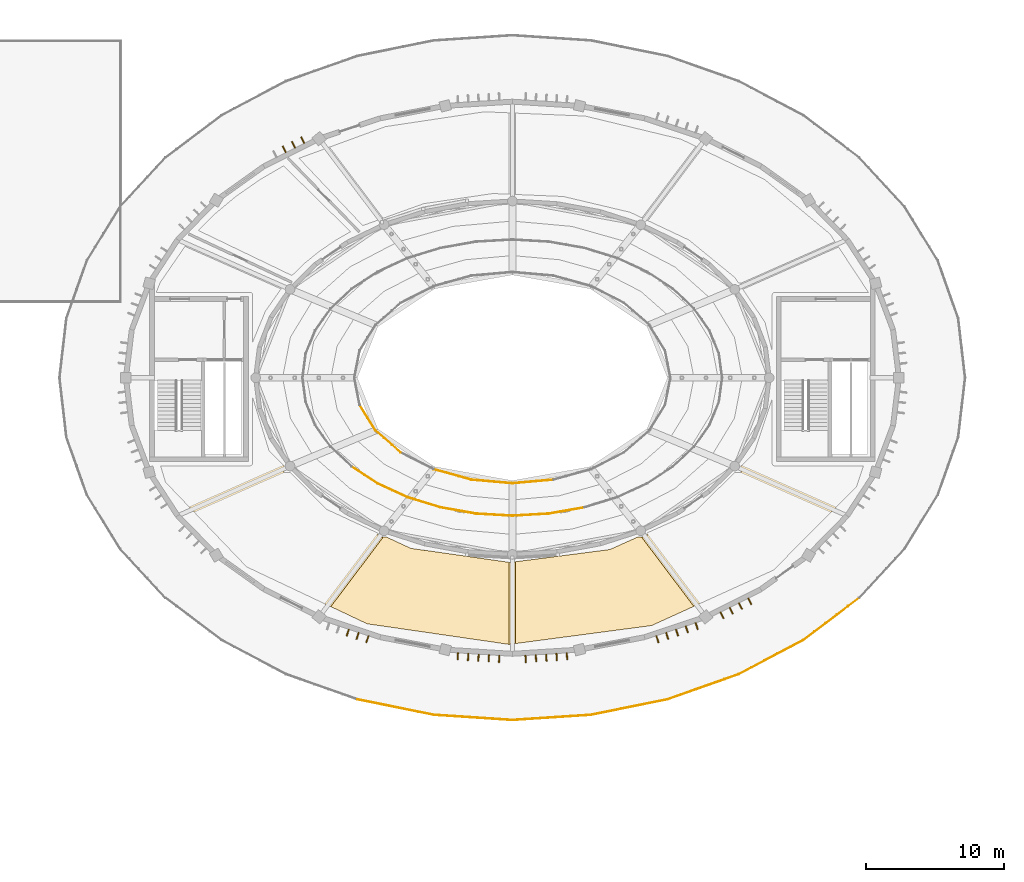
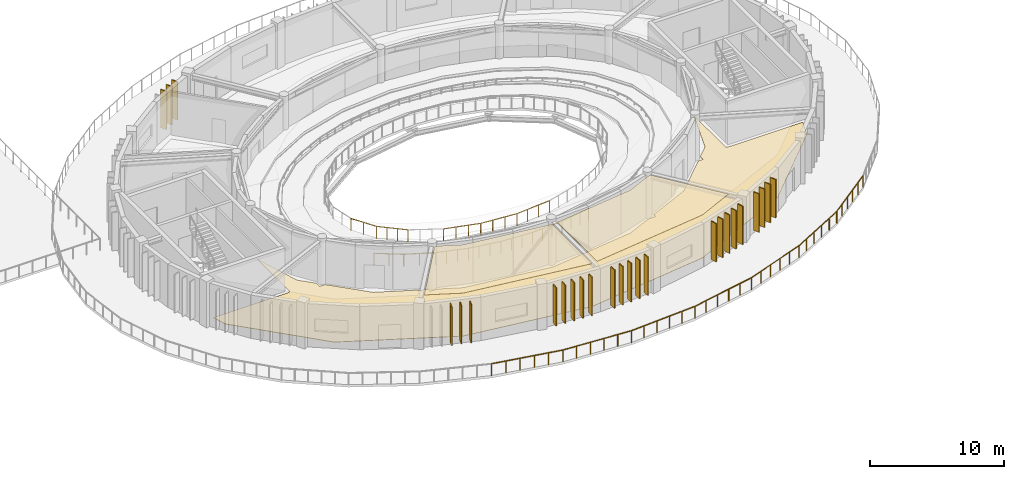
# One storey, part 56 of 63: 25 shading devices, 19 railings, 3 coverings.
"""IFC4 building model written with IfcOpenShell, lengths in metres."""

import ifcopenshell
import ifcopenshell.guid

model = None  # the IFC model being written
_history = None  # IfcOwnerHistory: only IFC2X3 demands one
_inside = {}  # id of a spatial element -> (the spatial element, [elements in it])
_under = {}  # id of a project, library or spatial element -> (it, [spatial elements below it])
_declared = {}  # id of a project -> (the project, [libraries it declares])
_typed = {}  # id of a type object -> (the type object, [elements of that type])
_made_of = {}  # id of a material, layer set ... -> (it, [elements and type objects made of it])


def new_model(schema):
    """Start an empty IFC model of exactly this schema.

    Asked for "IFC4X3", IfcOpenShell would pick the latest addendum, in which some entities
    have other attributes; the version numbers below select the first issue.
    IFC2X3 requires an IfcOwnerHistory on every rooted entity: one is made here for all.
    """
    global model, _history
    if schema == "IFC4X3":
        model = ifcopenshell.file(schema_version=(4, 3, 0, 0))
    else:
        model = ifcopenshell.file(schema=schema)
    _inside.clear()
    _under.clear()
    _declared.clear()
    _typed.clear()
    _made_of.clear()
    _history = None
    if model.schema == "IFC2X3":
        org = make("IfcOrganization", Name="unknown")
        user = make(
            "IfcPersonAndOrganization",
            ThePerson=make("IfcPerson", FamilyName="unknown"),
            TheOrganization=org,
        )
        app = make(
            "IfcApplication",
            ApplicationDeveloper=org,
            Version="unknown",
            ApplicationFullName="unknown",
            ApplicationIdentifier="unknown",
        )
        _history = make(
            "IfcOwnerHistory",
            OwningUser=user,
            OwningApplication=app,
            ChangeAction="ADDED",
            CreationDate=0,
        )
    return model


def make(cls, **values):
    """One entity of the class cls with the attributes given. An attribute that is None is left unset."""
    return model.create_entity(
        cls, **{name: value for name, value in values.items() if value is not None}
    )


def rooted(cls, **values):
    """An entity with a GlobalId (a new one), such as an element, a storey or a relation."""
    return make(cls, GlobalId=ifcopenshell.guid.new(), OwnerHistory=_history, **values)


def si_unit(unit_type, name, prefix=None):
    """IfcSIUnit, for example si_unit("LENGTHUNIT", "METRE", prefix="MILLI")."""
    return make("IfcSIUnit", UnitType=unit_type, Prefix=prefix, Name=name)


def assignment(units):
    """IfcUnitAssignment: the units of a project."""
    return None if units is None else make("IfcUnitAssignment", Units=units)


def point(xyz):
    """IfcCartesianPoint."""
    return None if xyz is None else make("IfcCartesianPoint", Coordinates=xyz)


def direction(xyz):
    """IfcDirection."""
    return None if xyz is None else make("IfcDirection", DirectionRatios=xyz)


def frame(location, z_axis=None, x_axis=None):
    """IfcAxis2Placement3D, a coordinate frame: its origin and axes. An axis left out is left unset."""
    return make(
        "IfcAxis2Placement3D",
        Location=point(location),
        Axis=direction(z_axis),
        RefDirection=direction(x_axis),
    )


def frame_2d(location, x_axis=None):
    """IfcAxis2Placement2D, a coordinate frame in the plane: its origin and x axis."""
    return make(
        "IfcAxis2Placement2D", Location=point(location), RefDirection=direction(x_axis)
    )


def origin():
    """The frame at (0, 0, 0) with its axes left unset."""
    return frame((0.0, 0.0, 0.0))


def origin_2d():
    """The frame at (0, 0) in the plane with its x axis left unset."""
    return frame_2d((0.0, 0.0))


def place(relative_to, where):
    """IfcLocalPlacement: puts the frame where relative to a parent placement (None: the world)."""
    return make(
        "IfcLocalPlacement", PlacementRelTo=relative_to, RelativePlacement=where
    )


def context(
    kind, dimensions, precision=None, world=None, true_north=None, identifier=None
):
    """IfcGeometricRepresentationContext, for example the 3D "Model" context."""
    return make(
        "IfcGeometricRepresentationContext",
        ContextIdentifier=identifier,
        ContextType=kind,
        CoordinateSpaceDimension=dimensions,
        Precision=precision,
        WorldCoordinateSystem=world,
        TrueNorth=true_north,
    )


def subcontext(parent, identifier, kind, view, scale=None):
    """IfcGeometricRepresentationSubContext, for example "Body" below "Model"."""
    return make(
        "IfcGeometricRepresentationSubContext",
        ContextIdentifier=identifier,
        ContextType=kind,
        ParentContext=parent,
        TargetScale=scale,
        TargetView=view,
    )


def project(units=None, contexts=None):
    """IfcProject with its units and contexts."""
    return rooted(
        "IfcProject",
        Name="project",
        RepresentationContexts=contexts,
        UnitsInContext=assignment(units),
    )


def spatial(cls, under=None, at=None, **own):
    """A site, building, storey or space (cls), placed at a placement, below another one or the project."""
    s = rooted(cls, ObjectPlacement=at, **own)
    if under is not None:
        _under.setdefault(under.id(), (under, []))[1].append(s)
    return s


def polyline(points):
    """IfcPolyline through the points."""
    return make("IfcPolyline", Points=[point(p) for p in points])


def profile(cls, at=None, kind="AREA", **sizes):
    """A parametric profile (cls). Its sizes go by their IFC names, for example OverallWidth=200.0."""
    return make(cls, ProfileType=kind, Position=at, **sizes)


def rectangle(**sizes):
    """IfcRectangleProfileDef."""
    return profile("IfcRectangleProfileDef", **sizes)


def circle(**sizes):
    """IfcCircleProfileDef."""
    return profile("IfcCircleProfileDef", **sizes)


def outline(outer, holes=None, kind="AREA"):
    """IfcArbitraryClosedProfileDef: a profile drawn as a closed curve; with holes, ...WithVoids."""
    if holes is None:
        return make("IfcArbitraryClosedProfileDef", ProfileType=kind, OuterCurve=outer)
    return make(
        "IfcArbitraryProfileDefWithVoids",
        ProfileType=kind,
        OuterCurve=outer,
        InnerCurves=holes,
    )


def extrude(swept, where, along, depth):
    """IfcExtrudedAreaSolid: the profile swept, set in the frame where, extruded along a direction by depth."""
    return make(
        "IfcExtrudedAreaSolid",
        SweptArea=swept,
        Position=where,
        ExtrudedDirection=direction(along),
        Depth=depth,
    )


def shape(context_of_items, identifier, shape_type, items):
    """IfcShapeRepresentation: the items that make up one representation, for example the "Body"."""
    return make(
        "IfcShapeRepresentation",
        ContextOfItems=context_of_items,
        RepresentationIdentifier=identifier,
        RepresentationType=shape_type,
        Items=items,
    )


def material(Name=None, Category=None):
    """IfcMaterial."""
    return make("IfcMaterial", Name=Name, Category=Category)


def layer(
    of_material, thickness, ventilated=None, Name=None, Category=None, Priority=None
):
    """IfcMaterialLayer: one layer of a wall or slab, of a material (None: an air gap)."""
    return make(
        "IfcMaterialLayer",
        Material=of_material,
        LayerThickness=thickness,
        IsVentilated=ventilated,
        Name=Name,
        Category=Category,
        Priority=Priority,
    )


def layer_set(layers, Name=None):
    """IfcMaterialLayerSet."""
    return make("IfcMaterialLayerSet", MaterialLayers=layers, LayerSetName=Name)


def made_of(thing, what):
    """Note that an element or type object is made of a material, layer set ...; save() writes the relation."""
    if what is not None:
        _made_of.setdefault(what.id(), (what, []))[1].append(thing)
    return thing


def type_object(cls, material=None, **own):
    """A type object (cls), such as IfcWallType, which elements share."""
    return made_of(rooted(cls, **own), material)


def element(
    cls,
    number,
    at=None,
    inside=None,
    cuts=None,
    type_object=None,
    material=None,
    context=None,
    identifier="Body",
    shape_type=None,
    held_by="IfcProductDefinitionShape",
    body=None,
    shapes=None,
    **own,
):
    """One element of the class cls, such as IfcWall. Its Tag is "e" and its number.

    at: its placement. inside: the storey or other place that contains it. cuts: it is an
    opening in that element (IfcRelVoidsElement). A single representation is given by context,
    identifier, shape_type and body (its items); several are given by shapes. held_by: the class
    of the entity that holds the representations. save() writes the other relations.
    """
    e = rooted(cls, Tag="e%d" % number, ObjectPlacement=at, **own)
    if body is not None:
        shapes = [shape(context, identifier, shape_type, body)]
    if shapes is not None:
        e.Representation = make(held_by, Representations=shapes)
    if inside is not None:
        _inside.setdefault(inside.id(), (inside, []))[1].append(e)
    if cuts is not None:
        rooted(
            "IfcRelVoidsElement", RelatingBuildingElement=cuts, RelatedOpeningElement=e
        )
    if type_object is not None:
        _typed.setdefault(type_object.id(), (type_object, []))[1].append(e)
    return made_of(e, material)


def aggregate(whole, parts):
    """IfcRelAggregates: a whole, such as a stair, and the parts it consists of."""
    return rooted("IfcRelAggregates", RelatingObject=whole, RelatedObjects=parts)


def save(model, path):
    """Write the relations noted so far, then the file.

    IfcRelAggregates (storeys below a building ...), IfcRelContainedInSpatialStructure (elements
    in a storey), IfcRelDefinesByType, IfcRelAssociatesMaterial and IfcRelDeclares: one each for
    every whole, place, type object, material and project.
    """
    for whole, parts in _under.values():
        aggregate(whole, parts)
    for where, things in _inside.values():
        rooted(
            "IfcRelContainedInSpatialStructure",
            RelatedElements=things,
            RelatingStructure=where,
        )
    for kind, things in _typed.values():
        rooted("IfcRelDefinesByType", RelatedObjects=things, RelatingType=kind)
    for what, things in _made_of.values():
        rooted("IfcRelAssociatesMaterial", RelatedObjects=things, RelatingMaterial=what)
    for by, libraries in _declared.values():
        rooted("IfcRelDeclares", RelatingContext=by, RelatedDefinitions=libraries)
    model.write(path)


model = new_model("IFC4")

# Units and contexts
model_context = context("Model", 3, precision=1e-05, world=origin(), true_north=direction((0.0, 1.0)))
body_context = subcontext(model_context, "Body", "Model", "MODEL_VIEW")
ifc_project = project(units=[si_unit("LENGTHUNIT", "METRE"), si_unit("AREAUNIT", "SQUARE_METRE"), si_unit("VOLUMEUNIT", "CUBIC_METRE"), si_unit("PLANEANGLEUNIT", "RADIAN"), si_unit("MASSUNIT", "GRAM", prefix="KILO")], contexts=[model_context])

# Site, building, storey
site_placement = place(None, origin())
site = spatial("IfcSite", under=ifc_project, at=site_placement, CompositionType="ELEMENT")
building_placement = place(site_placement, origin())
building = spatial("IfcBuilding", under=site, at=building_placement, Name="Tarnveldt Headland Concert Hall", CompositionType="ELEMENT")
storey_placement = place(building_placement, frame((0.0, 0.0, 14.39990234375)))
storey = spatial("IfcBuildingStorey", under=building, at=storey_placement, Name="L03", CompositionType="ELEMENT", Elevation=14.39990234375)

# Coverings
ifc_material_1 = material(Name="Micro-perforated mvule acoustic ceiling panel", Category="timber")
ifc_layer_1 = layer(ifc_material_1, 0.050048828125, Name="Micro-perforated mvule acoustic ceiling panel", Category="timber")
ifc_layer_set_1 = layer_set([ifc_layer_1], Name="Micro-perforated mvule acoustic ceiling panel")
covering_type_1 = type_object("IfcCoveringType", Name="CV-CEIL50", PredefinedType="CEILING", material=ifc_layer_set_1)
covering_1_placement = place(storey_placement, frame((0.0, 0.0, 3.91015625)))
element("IfcCovering", 1, at=covering_1_placement, inside=storey, type_object=covering_type_1, Name="Acoustic mvule ceiling L03-08-308", PredefinedType="CEILING", context=body_context, shape_type="SweptSolid", body=[
    extrude(outline(polyline([(76.165283203125, 42.1376953125), (83.27001953125, 41.127685546875), (83.27001953125, 35.18359375), (83.260986328125, 35.182373046875), (72.973388671875, 36.675048828125), (70.344482421875, 37.91748046875), (74.148681640625, 42.96484375), (74.36083984375, 42.96484375), (76.114990234375, 42.152587890625), (76.13134765625, 42.14599609375), (76.148193359375, 42.140869140625), (76.165283203125, 42.1376953125)])), origin(), (0.0, 0.0, 1.0), 0.050048828125),
])
covering_2_placement = place(storey_placement, frame((0.0, 0.0, 3.91015625)))
element("IfcCovering", 2, at=covering_2_placement, inside=storey, type_object=covering_type_1, Name="Acoustic mvule ceiling L03-08-309", PredefinedType="CEILING", context=body_context, shape_type="SweptSolid", body=[
    extrude(outline(polyline([(90.575439453125, 42.064697265625), (92.5947265625, 42.96484375), (92.851318359375, 42.96484375), (96.640380859375, 37.93798828125), (93.58447265625, 36.54736328125), (83.72998046875, 35.244384765625), (83.72998046875, 41.17041015625), (90.525146484375, 42.050537109375), (90.54248046875, 42.0537109375), (90.55908203125, 42.058349609375), (90.575439453125, 42.064697265625)])), origin(), (0.0, 0.0, 1.0), 0.050048828125),
])
ifc_material_2 = material(Name="Polished coral-aggregate cementitious terrazzo flooring", Category="concrete")
ifc_layer_2 = layer(ifc_material_2, 0.034912109375, Name="Polished coral-aggregate cementitious terrazzo flooring", Category="concrete")
ifc_layer_set_2 = layer_set([ifc_layer_2], Name="Polished coral-aggregate cementitious terrazzo flooring")
covering_type_2 = type_object("IfcCoveringType", Name="CV-FLOR35", PredefinedType="FLOORING", material=ifc_layer_set_2)
covering_3_placement = place(storey_placement, origin())
element("IfcCovering", 3, at=covering_3_placement, inside=storey, type_object=covering_type_2, Name="Architectural flooring L03-08-96", PredefinedType="FLOORING", context=body_context, shape_type="SweptSolid", body=[
    extrude(outline(polyline([(65.886474609375, 49.202880859375), (65.89794921875, 49.190185546875), (66.94189453125, 48.122314453125), (66.94189453125, 47.64990234375), (67.40380859375, 47.64990234375), (69.9951171875, 44.999755859375), (70.0068359375, 44.988525390625), (70.019775390625, 44.978515625), (70.03369140625, 44.9697265625), (70.048095703125, 44.96240234375), (73.75, 43.247802734375), (73.75, 42.96484375), (74.36083984375, 42.96484375), (76.114990234375, 42.152587890625), (76.13134765625, 42.14599609375), (76.148193359375, 42.140869140625), (76.165283203125, 42.1376953125), (83.308837890625, 41.122314453125), (83.324951171875, 41.12060546875), (83.34130859375, 41.12060546875), (83.357421875, 41.1220703125), (90.525146484375, 42.050537109375), (90.54248046875, 42.0537109375), (90.55908203125, 42.058349609375), (90.575439453125, 42.064697265625), (92.5947265625, 42.96484375), (93.25, 42.96484375), (93.25, 43.257080078125), (96.7119140625, 44.80029296875), (96.726318359375, 44.8076171875), (96.739990234375, 44.816162109375), (96.7529296875, 44.82568359375), (96.764892578125, 44.836669921875), (99.620361328125, 47.64990234375), (100.05810546875, 47.64990234375), (100.05810546875, 48.081298828125), (100.966796875, 48.9765625), (100.978271484375, 48.989013671875), (100.988525390625, 49.00244140625), (100.99755859375, 49.016845703125), (101.005126953125, 49.031982421875), (101.01123046875, 49.0478515625), (102.320068359375, 52.966796875), (102.320068359375, 48.300048828125), (102.32080078125, 48.282470703125), (102.323486328125, 48.264892578125), (102.327880859375, 48.247802734375), (102.333740234375, 48.231201171875), (102.34130859375, 48.215087890625), (102.350341796875, 48.199951171875), (102.36083984375, 48.185791015625), (102.372802734375, 48.172607421875), (102.3857421875, 48.160888671875), (102.39990234375, 48.150390625), (102.4150390625, 48.141357421875), (102.43115234375, 48.1337890625), (102.44775390625, 48.127685546875), (102.46484375, 48.12353515625), (102.482421875, 48.120849609375), (102.5, 48.1201171875), (108.928955078125, 48.1201171875), (108.440185546875, 46.62646484375), (102.412109375, 40.564208984375), (93.58447265625, 36.54736328125), (83.260986328125, 35.182373046875), (72.973388671875, 36.675048828125), (64.24658203125, 40.7998046875), (58.369384765625, 46.934814453125), (58.01220703125, 48.1201171875), (64.5, 48.1201171875), (64.517578125, 48.120849609375), (64.53515625, 48.12353515625), (64.55224609375, 48.127685546875), (64.56884765625, 48.1337890625), (64.5849609375, 48.141357421875), (64.60009765625, 48.150390625), (64.6142578125, 48.160888671875), (64.627197265625, 48.172607421875), (64.63916015625, 48.185791015625), (64.649658203125, 48.199951171875), (64.65869140625, 48.215087890625), (64.666259765625, 48.231201171875), (64.672119140625, 48.247802734375), (64.676513671875, 48.264892578125), (64.67919921875, 48.282470703125), (64.679931640625, 48.300048828125), (64.679931640625, 53.08154296875), (65.8544921875, 49.262939453125), (65.8603515625, 49.246826171875), (65.86767578125, 49.2314453125), (65.87646484375, 49.216796875), (65.886474609375, 49.202880859375)])), origin(), (0.0, 0.0, 1.0), 0.03515625),
])

# Railings
ifc_material_3 = material(Name="Marine stainless steel", Category="steel")
ifc_layer_3 = layer(ifc_material_3, 0.074951171875, Name="Marine stainless steel", Category="steel")
ifc_layer_set_3 = layer_set([ifc_layer_3], Name="Marine stainless steel")
railing_type_1 = type_object("IfcRailingType", Name="RL-BAL110", PredefinedType="BALUSTRADE", material=ifc_layer_set_3)
railing_1_placement = place(storey_placement, frame((72.28173828125, 31.195556640625, 0.0)))
element("IfcRailing", 4, at=railing_1_placement, inside=storey, type_object=railing_type_1, Name="GUARD Drum lookout terrace balustrade 26", PredefinedType="BALUSTRADE", context=body_context, shape_type="SweptSolid", body=[
    extrude(circle(Radius=0.02392578125, at=origin_2d()), frame((0.0, 0.0, 1.076171875), z_axis=(0.980094417088, -0.198531946026, 0.0), x_axis=(0.198531946026, 0.980094417088, 0.0)), (0.0, 0.0, 1.0), 5.634521484375),
    extrude(circle(Radius=0.02099609375, at=origin_2d()), origin(), (0.0, 0.0, 1.0), 1.052001953125),
    extrude(circle(Radius=0.02099609375, at=origin_2d()), frame((1.1044921875, -0.2236328125, 0.0)), (0.0, 0.0, 1.0), 1.052001953125),
    extrude(circle(Radius=0.02099609375, at=origin_2d()), frame((2.208984375, -0.447509765625, 0.0)), (0.0, 0.0, 1.0), 1.052001953125),
    extrude(circle(Radius=0.02099609375, at=origin_2d()), frame((3.3134765625, -0.671142578125, 0.0)), (0.0, 0.0, 1.0), 1.052001953125),
    extrude(circle(Radius=0.02099609375, at=origin_2d()), frame((4.41796875, -0.89501953125, 0.0)), (0.0, 0.0, 1.0), 1.052001953125),
    extrude(circle(Radius=0.02099609375, at=origin_2d()), frame((5.5224609375, -1.11865234375, 0.0)), (0.0, 0.0, 1.0), 1.052001953125),
])
railing_2_placement = place(storey_placement, frame((77.80419921875, 30.076904296875, 0.0)))
element("IfcRailing", 5, at=railing_2_placement, inside=storey, type_object=railing_type_1, Name="GUARD Drum lookout terrace balustrade 27", PredefinedType="BALUSTRADE", context=body_context, shape_type="SweptSolid", body=[
    extrude(circle(Radius=0.02392578125, at=origin_2d()), frame((0.0, 0.0, 1.076171875), z_axis=(0.997817213059, -0.066036424216, 0.0), x_axis=(0.066036424216, 0.997817213059, 0.0)), (0.0, 0.0, 1.0), 5.708251953125),
    extrude(circle(Radius=0.02099609375, at=origin_2d()), origin(), (0.0, 0.0, 1.0), 1.052001953125),
    extrude(circle(Radius=0.02099609375, at=origin_2d()), frame((1.13916015625, -0.075439453125, 0.0)), (0.0, 0.0, 1.0), 1.052001953125),
    extrude(circle(Radius=0.02099609375, at=origin_2d()), frame((2.2783203125, -0.15087890625, 0.0)), (0.0, 0.0, 1.0), 1.052001953125),
    extrude(circle(Radius=0.02099609375, at=origin_2d()), frame((3.41748046875, -0.22607421875, 0.0)), (0.0, 0.0, 1.0), 1.052001953125),
    extrude(circle(Radius=0.02099609375, at=origin_2d()), frame((4.556640625, -0.301513671875, 0.0)), (0.0, 0.0, 1.0), 1.052001953125),
    extrude(circle(Radius=0.02099609375, at=origin_2d()), frame((5.69580078125, -0.376953125, 0.0)), (0.0, 0.0, 1.0), 1.052001953125),
])
railing_3_placement = place(storey_placement, frame((83.5, 29.699951171875, 0.0)))
element("IfcRailing", 6, at=railing_3_placement, inside=storey, type_object=railing_type_1, Name="GUARD Drum lookout terrace balustrade 28", PredefinedType="BALUSTRADE", context=body_context, shape_type="SweptSolid", body=[
    extrude(circle(Radius=0.02392578125, at=origin_2d()), frame((0.0, 0.0, 1.076171875), z_axis=(0.997817213059, 0.066036424216, 0.0), x_axis=(-0.066036424216, 0.997817213059, 0.0)), (0.0, 0.0, 1.0), 5.708251953125),
    extrude(circle(Radius=0.02099609375, at=origin_2d()), origin(), (0.0, 0.0, 1.0), 1.052001953125),
    extrude(circle(Radius=0.02099609375, at=origin_2d()), frame((1.13916015625, 0.075439453125, 0.0)), (0.0, 0.0, 1.0), 1.052001953125),
    extrude(circle(Radius=0.02099609375, at=origin_2d()), frame((2.2783203125, 0.15087890625, 0.0)), (0.0, 0.0, 1.0), 1.052001953125),
    extrude(circle(Radius=0.02099609375, at=origin_2d()), frame((3.41748046875, 0.22607421875, 0.0)), (0.0, 0.0, 1.0), 1.052001953125),
    extrude(circle(Radius=0.02099609375, at=origin_2d()), frame((4.556640625, 0.301513671875, 0.0)), (0.0, 0.0, 1.0), 1.052001953125),
    extrude(circle(Radius=0.02099609375, at=origin_2d()), frame((5.69580078125, 0.376953125, 0.0)), (0.0, 0.0, 1.0), 1.052001953125),
])
railing_4_placement = place(storey_placement, frame((89.19580078125, 30.076904296875, 0.0)))
element("IfcRailing", 7, at=railing_4_placement, inside=storey, type_object=railing_type_1, Name="GUARD Drum lookout terrace balustrade 29", PredefinedType="BALUSTRADE", context=body_context, shape_type="SweptSolid", body=[
    extrude(circle(Radius=0.02392578125, at=origin_2d()), frame((0.0, 0.0, 1.076171875), z_axis=(0.980094417088, 0.198531946026, 0.0), x_axis=(-0.198531946026, 0.980094417088, 0.0)), (0.0, 0.0, 1.0), 5.634521484375),
    extrude(circle(Radius=0.02099609375, at=origin_2d()), origin(), (0.0, 0.0, 1.0), 1.052001953125),
    extrude(circle(Radius=0.02099609375, at=origin_2d()), frame((1.1044921875, 0.2236328125, 0.0)), (0.0, 0.0, 1.0), 1.052001953125),
    extrude(circle(Radius=0.02099609375, at=origin_2d()), frame((2.208984375, 0.447509765625, 0.0)), (0.0, 0.0, 1.0), 1.052001953125),
    extrude(circle(Radius=0.02099609375, at=origin_2d()), frame((3.3134765625, 0.671142578125, 0.0)), (0.0, 0.0, 1.0), 1.052001953125),
    extrude(circle(Radius=0.02099609375, at=origin_2d()), frame((4.41796875, 0.89501953125, 0.0)), (0.0, 0.0, 1.0), 1.052001953125),
    extrude(circle(Radius=0.02099609375, at=origin_2d()), frame((5.5224609375, 1.11865234375, 0.0)), (0.0, 0.0, 1.0), 1.052001953125),
])
railing_5_placement = place(storey_placement, frame((94.71826171875, 31.195556640625, 0.0)))
element("IfcRailing", 8, at=railing_5_placement, inside=storey, type_object=railing_type_1, Name="GUARD Drum lookout terrace balustrade 30", PredefinedType="BALUSTRADE", context=body_context, shape_type="SweptSolid", body=[
    extrude(circle(Radius=0.02392578125, at=origin_2d()), frame((0.0, 0.0, 1.076171875), z_axis=(0.943085453999, 0.332550487077, 0.0), x_axis=(-0.332550487077, 0.943085453999, 0.0)), (0.0, 0.0, 1.0), 5.494384765625),
    extrude(circle(Radius=0.02099609375, at=origin_2d()), origin(), (0.0, 0.0, 1.0), 1.052001953125),
    extrude(circle(Radius=0.02099609375, at=origin_2d()), frame((1.036376953125, 0.365478515625, 0.0)), (0.0, 0.0, 1.0), 1.052001953125),
    extrude(circle(Radius=0.02099609375, at=origin_2d()), frame((2.07275390625, 0.73095703125, 0.0)), (0.0, 0.0, 1.0), 1.052001953125),
    extrude(circle(Radius=0.02099609375, at=origin_2d()), frame((3.10888671875, 1.09619140625, 0.0)), (0.0, 0.0, 1.0), 1.052001953125),
    extrude(circle(Radius=0.02099609375, at=origin_2d()), frame((4.145263671875, 1.461669921875, 0.0)), (0.0, 0.0, 1.0), 1.052001953125),
    extrude(circle(Radius=0.02099609375, at=origin_2d()), frame((5.181640625, 1.8271484375, 0.0)), (0.0, 0.0, 1.0), 1.052001953125),
])
railing_6_placement = place(storey_placement, frame((99.89990234375, 33.022705078125, 0.0)))
element("IfcRailing", 9, at=railing_6_placement, inside=storey, type_object=railing_type_1, Name="GUARD Drum lookout terrace balustrade 31", PredefinedType="BALUSTRADE", context=body_context, shape_type="SweptSolid", body=[
    extrude(circle(Radius=0.02392578125, at=origin_2d()), frame((0.0, 0.0, 1.076171875), z_axis=(0.88379239872, 0.467879253617, 0.0), x_axis=(-0.467879253617, 0.88379239872, 0.0)), (0.0, 0.0, 1.0), 5.29931640625),
    extrude(circle(Radius=0.02099609375, at=origin_2d()), origin(), (0.0, 0.0, 1.0), 1.052001953125),
    extrude(circle(Radius=0.02099609375, at=origin_2d()), frame((0.936767578125, 0.495849609375, 0.0)), (0.0, 0.0, 1.0), 1.052001953125),
    extrude(circle(Radius=0.02099609375, at=origin_2d()), frame((1.87353515625, 0.99169921875, 0.0)), (0.0, 0.0, 1.0), 1.052001953125),
    extrude(circle(Radius=0.02099609375, at=origin_2d()), frame((2.81005859375, 1.48779296875, 0.0)), (0.0, 0.0, 1.0), 1.052001953125),
    extrude(circle(Radius=0.02099609375, at=origin_2d()), frame((3.746826171875, 1.983642578125, 0.0)), (0.0, 0.0, 1.0), 1.052001953125),
    extrude(circle(Radius=0.02099609375, at=origin_2d()), frame((4.68359375, 2.4794921875, 0.0)), (0.0, 0.0, 1.0), 1.052001953125),
])
railing_7_placement = place(storey_placement, frame((104.58349609375, 35.502197265625, 0.0)))
element("IfcRailing", 10, at=railing_7_placement, inside=storey, type_object=railing_type_1, Name="GUARD Drum lookout terrace balustrade 32", PredefinedType="BALUSTRADE", context=body_context, shape_type="SweptSolid", body=[
    extrude(circle(Radius=0.02392578125, at=origin_2d()), frame((0.0, 0.0, 1.076171875), z_axis=(0.797664418204, 0.603101546948, 0.0), x_axis=(-0.603101546948, 0.797664418204, 0.0)), (0.0, 0.0, 1.0), 5.068115234375),
    extrude(circle(Radius=0.02099609375, at=origin_2d()), origin(), (0.0, 0.0, 1.0), 1.052001953125),
    extrude(circle(Radius=0.02099609375, at=origin_2d()), frame((0.80859375, 0.611328125, 0.0)), (0.0, 0.0, 1.0), 1.052001953125),
    extrude(circle(Radius=0.02099609375, at=origin_2d()), frame((1.6171875, 1.22265625, 0.0)), (0.0, 0.0, 1.0), 1.052001953125),
    extrude(circle(Radius=0.02099609375, at=origin_2d()), frame((2.425537109375, 1.833984375, 0.0)), (0.0, 0.0, 1.0), 1.052001953125),
    extrude(circle(Radius=0.02099609375, at=origin_2d()), frame((3.234130859375, 2.4453125, 0.0)), (0.0, 0.0, 1.0), 1.052001953125),
    extrude(circle(Radius=0.02099609375, at=origin_2d()), frame((4.042724609375, 3.056640625, 0.0)), (0.0, 0.0, 1.0), 1.052001953125),
])
ifc_layer_4 = layer(ifc_material_3, 0.06005859375, Name="Marine stainless steel", Category="steel")
ifc_layer_set_4 = layer_set([ifc_layer_4], Name="Marine stainless steel")
railing_type_2 = type_object("IfcRailingType", Name="RL-GRD110", PredefinedType="GUARDRAIL", material=ifc_layer_set_4)
railing_8_placement = place(storey_placement, frame((72.440185546875, 52.52001953125, 0.280029296875)))
element("IfcRailing", 11, at=railing_8_placement, inside=storey, type_object=railing_type_2, Name="GUARD Symphony tier sightline guardrail L03 14", PredefinedType="GUARDRAIL", context=body_context, shape_type="SweptSolid", body=[
    extrude(circle(Radius=0.02392578125, at=origin_2d()), frame((0.0, 0.0, 1.076171875), z_axis=(0.526912047172, -0.849919816538, 0.0), x_axis=(0.849919816538, 0.526912047172, 0.0)), (0.0, 0.0, 1.0), 2.170654296875),
    extrude(circle(Radius=0.02099609375, at=origin_2d()), origin(), (0.0, 0.0, 1.0), 1.052001953125),
    extrude(circle(Radius=0.02099609375, at=origin_2d()), frame((0.57177734375, -0.92236328125, 0.0)), (0.0, 0.0, 1.0), 1.052001953125),
    extrude(circle(Radius=0.02099609375, at=origin_2d()), frame((1.143798828125, -1.844970703125, 0.0)), (0.0, 0.0, 1.0), 1.052001953125),
])
railing_9_placement = place(storey_placement, frame((73.583984375, 50.675048828125, 0.280029296875)))
element("IfcRailing", 12, at=railing_9_placement, inside=storey, type_object=railing_type_2, Name="GUARD Symphony tier sightline guardrail L03 15", PredefinedType="GUARDRAIL", context=body_context, shape_type="SweptSolid", body=[
    extrude(circle(Radius=0.02392578125, at=origin_2d()), frame((0.0, 0.0, 1.076171875), z_axis=(0.754147872627, -0.656704641534, 0.0), x_axis=(0.656704641534, 0.754147872627, 0.0)), (0.0, 0.0, 1.0), 2.412841796875),
    extrude(circle(Radius=0.02099609375, at=origin_2d()), origin(), (0.0, 0.0, 1.0), 1.052001953125),
    extrude(circle(Radius=0.02099609375, at=origin_2d()), frame((0.6064453125, -0.528076171875, 0.0)), (0.0, 0.0, 1.0), 1.052001953125),
    extrude(circle(Radius=0.02099609375, at=origin_2d()), frame((1.213134765625, -1.056396484375, 0.0)), (0.0, 0.0, 1.0), 1.052001953125),
    extrude(circle(Radius=0.02099609375, at=origin_2d()), frame((1.819580078125, -1.58447265625, 0.0)), (0.0, 0.0, 1.0), 1.052001953125),
])
railing_10_placement = place(storey_placement, frame((77.77490234375, 47.875, 0.280029296875)))
element("IfcRailing", 13, at=railing_10_placement, inside=storey, type_object=railing_type_2, Name="GUARD Symphony tier sightline guardrail L03 17", PredefinedType="GUARDRAIL", context=body_context, shape_type="SweptSolid", body=[
    extrude(circle(Radius=0.02392578125, at=origin_2d()), frame((0.0, 0.0, 1.076171875), z_axis=(0.963764063419, -0.266756124696, 0.0), x_axis=(0.266756124696, 0.963764063419, 0.0)), (0.0, 0.0, 1.0), 2.865478515625),
    extrude(circle(Radius=0.02099609375, at=origin_2d()), origin(), (0.0, 0.0, 1.0), 1.052001953125),
    extrude(circle(Radius=0.02099609375, at=origin_2d()), frame((0.920654296875, -0.2548828125, 0.0)), (0.0, 0.0, 1.0), 1.052001953125),
    extrude(circle(Radius=0.02099609375, at=origin_2d()), frame((1.841064453125, -0.509521484375, 0.0)), (0.0, 0.0, 1.0), 1.052001953125),
    extrude(circle(Radius=0.02099609375, at=origin_2d()), frame((2.76171875, -0.764404296875, 0.0)), (0.0, 0.0, 1.0), 1.052001953125),
])
railing_11_placement = place(storey_placement, frame((80.53662109375, 47.110595703125, 0.280029296875)))
element("IfcRailing", 14, at=railing_11_placement, inside=storey, type_object=railing_type_2, Name="GUARD Symphony tier sightline guardrail L03 18", PredefinedType="GUARDRAIL", context=body_context, shape_type="SweptSolid", body=[
    extrude(circle(Radius=0.02392578125, at=origin_2d()), frame((0.0, 0.0, 1.076171875), z_axis=(0.996158538672, -0.087568063994, 0.0), x_axis=(0.087568063994, 0.996158538672, 0.0)), (0.0, 0.0, 1.0), 2.974853515625),
    extrude(circle(Radius=0.02099609375, at=origin_2d()), origin(), (0.0, 0.0, 1.0), 1.052001953125),
    extrude(circle(Radius=0.02099609375, at=origin_2d()), frame((0.98779296875, -0.0869140625, 0.0)), (0.0, 0.0, 1.0), 1.052001953125),
    extrude(circle(Radius=0.02099609375, at=origin_2d()), frame((1.9755859375, -0.173583984375, 0.0)), (0.0, 0.0, 1.0), 1.052001953125),
    extrude(circle(Radius=0.02099609375, at=origin_2d()), frame((2.96337890625, -0.260498046875, 0.0)), (0.0, 0.0, 1.0), 1.052001953125),
])
railing_12_placement = place(storey_placement, frame((83.5, 46.85009765625, 0.280029296875)))
element("IfcRailing", 15, at=railing_12_placement, inside=storey, type_object=railing_type_2, Name="GUARD Symphony tier sightline guardrail L03 19", PredefinedType="GUARDRAIL", context=body_context, shape_type="SweptSolid", body=[
    extrude(circle(Radius=0.02392578125, at=origin_2d()), frame((0.0, 0.0, 1.076171875), z_axis=(0.996158538672, 0.087568063994, 0.0), x_axis=(-0.087568063994, 0.996158538672, 0.0)), (0.0, 0.0, 1.0), 2.974853515625),
    extrude(circle(Radius=0.02099609375, at=origin_2d()), origin(), (0.0, 0.0, 1.0), 1.052001953125),
    extrude(circle(Radius=0.02099609375, at=origin_2d()), frame((0.98779296875, 0.0869140625, 0.0)), (0.0, 0.0, 1.0), 1.052001953125),
    extrude(circle(Radius=0.02099609375, at=origin_2d()), frame((1.9755859375, 0.173583984375, 0.0)), (0.0, 0.0, 1.0), 1.052001953125),
    extrude(circle(Radius=0.02099609375, at=origin_2d()), frame((2.96337890625, 0.260498046875, 0.0)), (0.0, 0.0, 1.0), 1.052001953125),
])
railing_13_placement = place(storey_placement, frame((71.856201171875, 48.072021484375, 0.0)))
element("IfcRailing", 16, at=railing_13_placement, inside=storey, type_object=railing_type_2, Name="GUARD Auditorium void guardrail L03 23", PredefinedType="GUARDRAIL", context=body_context, shape_type="SweptSolid", body=[
    extrude(circle(Radius=0.02392578125, at=origin_2d()), frame((0.0, 0.0, 1.076171875), z_axis=(0.835418397825, -0.549614501788, 0.0), x_axis=(0.549614501788, 0.835418397825, 0.0)), (0.0, 0.0, 1.0), 2.242431640625),
    extrude(circle(Radius=0.02099609375, at=origin_2d()), origin(), (0.0, 0.0, 1.0), 1.052001953125),
    extrude(circle(Radius=0.02099609375, at=origin_2d()), frame((0.9365234375, -0.6162109375, 0.0)), (0.0, 0.0, 1.0), 1.052001953125),
    extrude(circle(Radius=0.02099609375, at=origin_2d()), frame((1.873291015625, -1.232421875, 0.0)), (0.0, 0.0, 1.0), 1.052001953125),
])
railing_14_placement = place(storey_placement, frame((73.7294921875, 46.839599609375, 0.0)))
element("IfcRailing", 17, at=railing_14_placement, inside=storey, type_object=railing_type_2, Name="GUARD Auditorium void guardrail L03 24", PredefinedType="GUARDRAIL", context=body_context, shape_type="SweptSolid", body=[
    extrude(circle(Radius=0.02392578125, at=origin_2d()), frame((0.0, 0.0, 1.076171875), z_axis=(0.908234283008, -0.418462049854, 0.0), x_axis=(0.418462049854, 0.908234283008, 0.0)), (0.0, 0.0, 1.0), 2.3896484375),
    extrude(circle(Radius=0.02099609375, at=origin_2d()), origin(), (0.0, 0.0, 1.0), 1.052001953125),
    extrude(circle(Radius=0.02099609375, at=origin_2d()), frame((1.085205078125, -0.5, 0.0)), (0.0, 0.0, 1.0), 1.052001953125),
    extrude(circle(Radius=0.02099609375, at=origin_2d()), frame((2.17041015625, -1.0, 0.0)), (0.0, 0.0, 1.0), 1.052001953125),
])
railing_15_placement = place(storey_placement, frame((75.89990234375, 45.839599609375, 0.0)))
element("IfcRailing", 18, at=railing_15_placement, inside=storey, type_object=railing_type_2, Name="GUARD Auditorium void guardrail L03 25", PredefinedType="GUARDRAIL", context=body_context, shape_type="SweptSolid", body=[
    extrude(circle(Radius=0.02392578125, at=origin_2d()), frame((0.0, 0.0, 1.076171875), z_axis=(0.956037133001, -0.293245631381, 0.0), x_axis=(0.293245631381, 0.956037133001, 0.0)), (0.0, 0.0, 1.0), 2.51171875),
    extrude(circle(Radius=0.02099609375, at=origin_2d()), origin(), (0.0, 0.0, 1.0), 1.052001953125),
    extrude(circle(Radius=0.02099609375, at=origin_2d()), frame((0.800537109375, -0.24560546875, 0.0)), (0.0, 0.0, 1.0), 1.052001953125),
    extrude(circle(Radius=0.02099609375, at=origin_2d()), frame((1.600830078125, -0.490966796875, 0.0)), (0.0, 0.0, 1.0), 1.052001953125),
    extrude(circle(Radius=0.02099609375, at=origin_2d()), frame((2.4013671875, -0.736572265625, 0.0)), (0.0, 0.0, 1.0), 1.052001953125),
])
railing_16_placement = place(storey_placement, frame((78.30126953125, 45.10302734375, 0.0)))
element("IfcRailing", 19, at=railing_16_placement, inside=storey, type_object=railing_type_2, Name="GUARD Auditorium void guardrail L03 26", PredefinedType="GUARDRAIL", context=body_context, shape_type="SweptSolid", body=[
    extrude(circle(Radius=0.02392578125, at=origin_2d()), frame((0.0, 0.0, 1.076171875), z_axis=(0.984814752515, -0.173608476834, 0.0), x_axis=(0.173608476834, 0.984814752515, 0.0)), (0.0, 0.0, 1.0), 2.598876953125),
    extrude(circle(Radius=0.02099609375, at=origin_2d()), origin(), (0.0, 0.0, 1.0), 1.052001953125),
    extrude(circle(Radius=0.02099609375, at=origin_2d()), frame((0.85302734375, -0.150390625, 0.0)), (0.0, 0.0, 1.0), 1.052001953125),
    extrude(circle(Radius=0.02099609375, at=origin_2d()), frame((1.706298828125, -0.30078125, 0.0)), (0.0, 0.0, 1.0), 1.052001953125),
    extrude(circle(Radius=0.02099609375, at=origin_2d()), frame((2.559326171875, -0.451171875, 0.0)), (0.0, 0.0, 1.0), 1.052001953125),
])
railing_17_placement = place(storey_placement, frame((80.860595703125, 44.65185546875, 0.0)))
element("IfcRailing", 20, at=railing_17_placement, inside=storey, type_object=railing_type_2, Name="GUARD Auditorium void guardrail L03 27", PredefinedType="GUARDRAIL", context=body_context, shape_type="SweptSolid", body=[
    extrude(circle(Radius=0.02392578125, at=origin_2d()), frame((0.0, 0.0, 1.076171875), z_axis=(0.99834901745, -0.057439005536, 0.0), x_axis=(0.057439005536, 0.99834901745, 0.0)), (0.0, 0.0, 1.0), 2.643798828125),
    extrude(circle(Radius=0.02099609375, at=origin_2d()), origin(), (0.0, 0.0, 1.0), 1.052001953125),
    extrude(circle(Radius=0.02099609375, at=origin_2d()), frame((0.8798828125, -0.050537109375, 0.0)), (0.0, 0.0, 1.0), 1.052001953125),
    extrude(circle(Radius=0.02099609375, at=origin_2d()), frame((1.759521484375, -0.101318359375, 0.0)), (0.0, 0.0, 1.0), 1.052001953125),
    extrude(circle(Radius=0.02099609375, at=origin_2d()), frame((2.639404296875, -0.15185546875, 0.0)), (0.0, 0.0, 1.0), 1.052001953125),
])
railing_18_placement = place(storey_placement, frame((83.5, 44.5, 0.0)))
element("IfcRailing", 21, at=railing_18_placement, inside=storey, type_object=railing_type_2, Name="GUARD Auditorium void guardrail L03 28", PredefinedType="GUARDRAIL", context=body_context, shape_type="SweptSolid", body=[
    extrude(circle(Radius=0.02392578125, at=origin_2d()), frame((0.0, 0.0, 1.076171875), z_axis=(0.99834901745, 0.057439005536, 0.0), x_axis=(-0.057439005536, 0.99834901745, 0.0)), (0.0, 0.0, 1.0), 2.643798828125),
    extrude(circle(Radius=0.02099609375, at=origin_2d()), origin(), (0.0, 0.0, 1.0), 1.052001953125),
    extrude(circle(Radius=0.02099609375, at=origin_2d()), frame((0.8798828125, 0.050537109375, 0.0)), (0.0, 0.0, 1.0), 1.052001953125),
    extrude(circle(Radius=0.02099609375, at=origin_2d()), frame((1.759521484375, 0.101318359375, 0.0)), (0.0, 0.0, 1.0), 1.052001953125),
    extrude(circle(Radius=0.02099609375, at=origin_2d()), frame((2.639404296875, 0.15185546875, 0.0)), (0.0, 0.0, 1.0), 1.052001953125),
])
railing_19_placement = place(storey_placement, frame((86.139404296875, 44.65185546875, 0.0)))
element("IfcRailing", 22, at=railing_19_placement, inside=storey, type_object=railing_type_2, Name="GUARD Auditorium void guardrail L03 29", PredefinedType="GUARDRAIL", context=body_context, shape_type="SweptSolid", body=[
    extrude(circle(Radius=0.02392578125, at=origin_2d()), frame((0.0, 0.0, 1.076171875), z_axis=(0.984814752515, 0.173608476834, 0.0), x_axis=(-0.173608476834, 0.984814752515, 0.0)), (0.0, 0.0, 1.0), 2.598876953125),
    extrude(circle(Radius=0.02099609375, at=origin_2d()), origin(), (0.0, 0.0, 1.0), 1.052001953125),
    extrude(circle(Radius=0.02099609375, at=origin_2d()), frame((0.85302734375, 0.150390625, 0.0)), (0.0, 0.0, 1.0), 1.052001953125),
    extrude(circle(Radius=0.02099609375, at=origin_2d()), frame((1.706298828125, 0.30078125, 0.0)), (0.0, 0.0, 1.0), 1.052001953125),
    extrude(circle(Radius=0.02099609375, at=origin_2d()), frame((2.559326171875, 0.451171875, 0.0)), (0.0, 0.0, 1.0), 1.052001953125),
])

# Shading devices
ifc_material_4 = material(Name="Terracotta-anodised aluminium EN AW-6063-T6", Category="masonry")
shading_device_type = type_object("IfcShadingDeviceType", Name="SD-FIN520", PredefinedType="USERDEFINED", material=ifc_material_4)
for number, where, z_axis, x_axis, name in (
    (23, (68.314697265625, 71.70849609375, 0.25), (0.0, 0.0, 1.0), (-0.447290848419, 0.89438856037, 0.0), "Drum terracotta acoustic solar fin L03-29"),
    (24, (67.64404296875, 71.373046875, 0.25), (0.0, 0.0, 1.0), (-0.447290848419, 0.89438856037, 0.0), "Drum terracotta acoustic solar fin L03-30"),
    (25, (66.97314453125, 71.03759765625, 0.25), (0.0, 0.0, 1.0), (-0.447290848419, 0.89438856037, 0.0), "Drum terracotta acoustic solar fin L03-31"),
    (26, (71.57568359375, 36.034912109375, 0.25), (0.0, 0.0, 1.0), (-0.315980237922, -0.948765771538, 0.0), "Drum terracotta acoustic solar fin L03-61"),
    (27, (72.287353515625, 35.7978515625, 0.25), (0.0, 0.0, 1.0), (-0.315980237922, -0.948765771538, 0.0), "Drum terracotta acoustic solar fin L03-62"),
    (28, (72.998779296875, 35.560791015625, 0.25), (0.0, 0.0, 1.0), (-0.315980237922, -0.948765771538, 0.0), "Drum terracotta acoustic solar fin L03-63"),
    (29, (79.545166015625, 34.31640625, 0.25), (0.0, 0.0, 1.0), (-0.062442138662, -0.998048585651, 0.0), "Drum terracotta acoustic solar fin L03-64"),
    (30, (80.293701171875, 34.26953125, 0.25), (0.0, 0.0, 1.0), (-0.062442138662, -0.998048585651, 0.0), "Drum terracotta acoustic solar fin L03-65"),
    (31, (81.0419921875, 34.22265625, 0.25), (0.0, 0.0, 1.0), (-0.062442138662, -0.998048585651, 0.0), "Drum terracotta acoustic solar fin L03-66"),
    (32, (81.790771484375, 34.176025390625, 0.25), (0.0, 0.0, 1.0), (-0.062442138662, -0.998048585651, 0.0), "Drum terracotta acoustic solar fin L03-67"),
    (33, (82.539306640625, 34.129150390625, 0.25), (0.0, 0.0, 1.0), (-0.062442138662, -0.998048585651, 0.0), "Drum terracotta acoustic solar fin L03-68"),
    (34, (84.460693359375, 34.129150390625, 0.25), (0.0, 0.0, 1.0), (0.062442138662, -0.998048585651, 0.0), "Drum terracotta acoustic solar fin L03-69"),
    (35, (85.209228515625, 34.176025390625, 0.25), (0.0, 0.0, 1.0), (0.062442138662, -0.998048585651, 0.0), "Drum terracotta acoustic solar fin L03-70"),
    (36, (85.9580078125, 34.22265625, 0.25), (0.0, 0.0, 1.0), (0.062442138662, -0.998048585651, 0.0), "Drum terracotta acoustic solar fin L03-71"),
    (37, (86.706298828125, 34.26953125, 0.25), (0.0, 0.0, 1.0), (0.062442138662, -0.998048585651, 0.0), "Drum terracotta acoustic solar fin L03-72"),
    (38, (87.454833984375, 34.31640625, 0.25), (0.0, 0.0, 1.0), (0.062442138662, -0.998048585651, 0.0), "Drum terracotta acoustic solar fin L03-73"),
    (39, (94.001220703125, 35.560791015625, 0.25), (0.0, 0.0, 1.0), (0.315980237922, -0.948765771538, 0.0), "Drum terracotta acoustic solar fin L03-74"),
    (40, (94.712646484375, 35.7978515625, 0.25), (0.0, 0.0, 1.0), (0.315980237922, -0.948765771538, 0.0), "Drum terracotta acoustic solar fin L03-75"),
    (41, (95.42431640625, 36.034912109375, 0.25), (0.0, 0.0, 1.0), (0.315980237922, -0.948765771538, 0.0), "Drum terracotta acoustic solar fin L03-76"),
    (42, (96.1357421875, 36.27197265625, 0.25), (0.0, 0.0, 1.0), (0.315980237922, -0.948765771538, 0.0), "Drum terracotta acoustic solar fin L03-77"),
    (43, (96.847412109375, 36.5087890625, 0.25), (0.0, 0.0, 1.0), (0.315980237922, -0.948765771538, 0.0), "Drum terracotta acoustic solar fin L03-78"),
    (44, (98.685302734375, 37.29150390625, 0.25), (0.0, 0.0, 1.0), (0.447290848419, -0.89438856037, 0.0), "Drum terracotta acoustic solar fin L03-79"),
    (45, (99.35595703125, 37.626953125, 0.25), (0.0, 0.0, 1.0), (0.447290848419, -0.89438856037, 0.0), "Drum terracotta acoustic solar fin L03-80"),
    (46, (100.02685546875, 37.96240234375, 0.25), (0.0, 0.0, 1.0), (0.447290848419, -0.89438856037, 0.0), "Drum terracotta acoustic solar fin L03-81"),
    (47, (100.697509765625, 38.2978515625, 0.25), (0.0, 0.0, 1.0), (0.447290848419, -0.89438856037, 0.0), "Drum terracotta acoustic solar fin L03-82"),
):
    element("IfcShadingDevice", number, at=place(storey_placement, frame(where, z_axis=z_axis, x_axis=x_axis)), inside=storey, type_object=shading_device_type, Name=name, ObjectType="FIN", PredefinedType="USERDEFINED", context=body_context, shape_type="SweptSolid", body=[
        extrude(rectangle(XDim=0.52001953125, YDim=0.080078125, at=origin_2d()), origin(), (0.0, 0.0, 1.0), 3.5),
    ])

save(model, "model.ifc")
